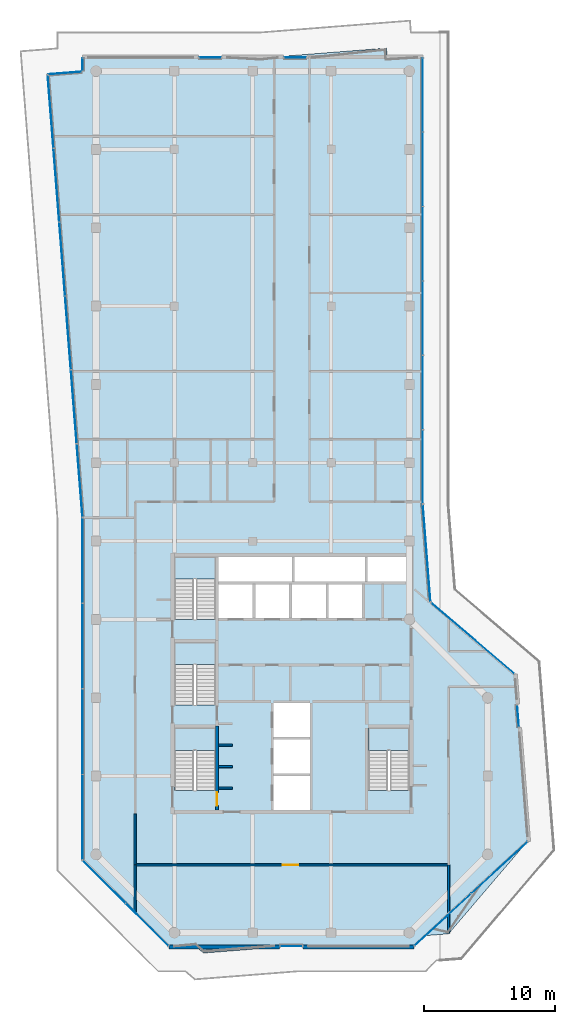
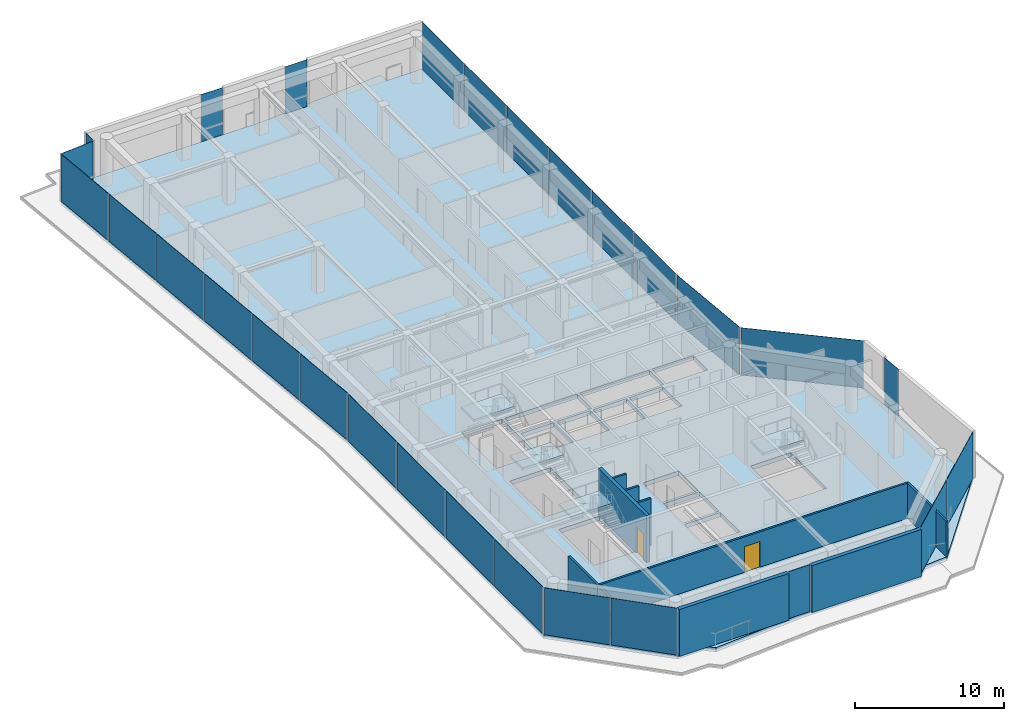
# One storey, part 18 of 23: 28 plates, 10 walls, 5 slabs, 2 doors, 2 openings, 17 elements without a shape of their own.
"""IFC4 building model written with IfcOpenShell, lengths in metres."""

from ifc_helpers import new_model, si_unit, direction, frame, frame_2d, origin, origin_2d, place, context, subcontext, project, spatial, polyline, rectangle, outline, extrude, material, layer, layer_set, type_object, element, fill, aggregate, save


model = new_model("IFC4")

# Units and contexts
model_context = context("Model", 3, precision=1e-05, world=origin(), true_north=direction((0.0, 1.0)))
body_context = subcontext(model_context, "Body", "Model", "MODEL_VIEW")
ifc_project = project(units=[si_unit("LENGTHUNIT", "METRE"), si_unit("AREAUNIT", "SQUARE_METRE"), si_unit("VOLUMEUNIT", "CUBIC_METRE"), si_unit("PLANEANGLEUNIT", "RADIAN"), si_unit("MASSUNIT", "GRAM", prefix="KILO")], contexts=[model_context])

# Site, building, storey
site_placement = place(None, origin())
site = spatial("IfcSite", under=ifc_project, at=site_placement, CompositionType="ELEMENT")
building_placement = place(site_placement, origin())
building = spatial("IfcBuilding", under=site, at=building_placement, Name="Welwitschia Terrace Campus", CompositionType="ELEMENT")
storey_placement = place(building_placement, frame((0.0, 0.0, 306.199951171875)))
storey = spatial("IfcBuildingStorey", under=building, at=storey_placement, Name="L68", CompositionType="ELEMENT", Elevation=306.199951171875)

# Curtain wall, plates
ifc_material_1 = material(Name="Bronze anodised aluminium", Category="aluminium")
ifc_layer_1 = layer(ifc_material_1, 0.1201171875)
ifc_layer_set_1 = layer_set([ifc_layer_1], Name="Bronze anodised aluminium")
curtain_wall_type = type_object("IfcCurtainWallType", Name="Curtain wall CW2 tower 6000", PredefinedType="NOTDEFINED", material=ifc_layer_set_1)
curtain_wall_1_placement = place(storey_placement, origin())
curtain_wall_1 = element("IfcCurtainWall", 1, at=curtain_wall_1_placement, inside=storey, type_object=curtain_wall_type, Name="CW L68.0.0", PredefinedType="NOTDEFINED")
ifc_material_2 = material(Name="Tinted bronze-grey glass", Category="glass")
ifc_layer_2 = layer(ifc_material_2, 0.028076171875)
ifc_layer_set_2 = layer_set([ifc_layer_2], Name="Tinted bronze-grey glass")
plate_type = type_object("IfcPlateType", Name="Glass panel 28 tinted", PredefinedType="CURTAIN_PANEL", material=ifc_layer_set_2)
plate_1_placement = place(storey_placement, frame((-1.030029296875, 24.50537109375, 0.0), z_axis=(0.0, 0.0, 1.0), x_axis=(0.0, -1.0, 0.0)))
plate_1 = element("IfcPlate", 2, at=plate_1_placement, type_object=plate_type, Name="Panel L68.0.0.0", PredefinedType="CURTAIN_PANEL", context=body_context, shape_type="SweptSolid", body=[
    extrude(rectangle(XDim=6.46630859375, YDim=0.028076171875, at=origin_2d()), origin(), (0.0, 0.0, 1.0), 3.85009765625),
])
plate_2_placement = place(storey_placement, frame((-1.030029296875, 17.964111328125, 0.0), z_axis=(0.0, 0.0, 1.0), x_axis=(0.0, -1.0, 0.0)))
plate_2 = element("IfcPlate", 3, at=plate_2_placement, type_object=plate_type, Name="Panel L68.0.0.1", PredefinedType="CURTAIN_PANEL", context=body_context, shape_type="SweptSolid", body=[
    extrude(rectangle(XDim=6.496337890625, YDim=0.028076171875, at=origin_2d()), origin(), (0.0, 0.0, 1.0), 3.85009765625),
])
plate_3_placement = place(storey_placement, frame((-1.030029296875, 11.40771484375, 0.0), z_axis=(0.0, 0.0, 1.0), x_axis=(0.0, -1.0, 0.0)))
plate_3 = element("IfcPlate", 4, at=plate_3_placement, type_object=plate_type, Name="Panel L68.0.0.2", PredefinedType="CURTAIN_PANEL", context=body_context, shape_type="SweptSolid", body=[
    extrude(rectangle(XDim=6.496337890625, YDim=0.028076171875, at=origin_2d()), origin(), (0.0, 0.0, 1.0), 3.85009765625),
])
plate_4_placement = place(storey_placement, frame((-1.030029296875, 4.866455078125, 0.0), z_axis=(0.0, 0.0, 1.0), x_axis=(0.0, -1.0, 0.0)))
plate_4 = element("IfcPlate", 5, at=plate_4_placement, type_object=plate_type, Name="Panel L68.0.0.3", PredefinedType="CURTAIN_PANEL", context=body_context, shape_type="SweptSolid", body=[
    extrude(rectangle(XDim=6.46630859375, YDim=0.028076171875, at=origin_2d()), origin(), (0.0, 0.0, 1.0), 3.85009765625),
])
aggregate(curtain_wall_1, [plate_1, plate_2, plate_3, plate_4])

curtain_wall_2_placement = place(storey_placement, origin())
curtain_wall_2 = element("IfcCurtainWall", 6, at=curtain_wall_2_placement, inside=storey, type_object=curtain_wall_type, Name="CW L68.1.0", PredefinedType="NOTDEFINED")
plate_5_placement = place(storey_placement, frame((0.63134765625, -0.088134765625, 0.0), z_axis=(0.0, 0.0, 1.0), x_axis=(0.707106781187, -0.707106781187, 0.0)))
plate_5 = element("IfcPlate", 7, at=plate_5_placement, type_object=plate_type, Name="Panel L68.1.0.0", PredefinedType="CURTAIN_PANEL", context=body_context, shape_type="SweptSolid", body=[
    extrude(rectangle(XDim=4.579345703125, YDim=0.028076171875, at=origin_2d()), origin(), (0.0, 0.0, 1.0), 3.85009765625),
])
plate_6_placement = place(storey_placement, frame((3.911865234375, -3.36865234375, 0.0), z_axis=(0.0, 0.0, 1.0), x_axis=(0.707106781187, -0.707106781187, 0.0)))
plate_6 = element("IfcPlate", 8, at=plate_6_placement, type_object=plate_type, Name="Panel L68.1.0.1", PredefinedType="CURTAIN_PANEL", context=body_context, shape_type="SweptSolid", body=[
    extrude(rectangle(XDim=4.579345703125, YDim=0.028076171875, at=origin_2d()), origin(), (0.0, 0.0, 1.0), 3.85009765625),
])
aggregate(curtain_wall_2, [plate_5, plate_6])

# Curtain wall, plate
curtain_wall_3_placement = place(storey_placement, origin())
curtain_wall_3 = element("IfcCurtainWall", 9, at=curtain_wall_3_placement, inside=storey, type_object=curtain_wall_type, Name="CW L68.2.S0", PredefinedType="NOTDEFINED")
plate_7_placement = place(storey_placement, frame((14.966064453125, -5.030029296875, 0.0), z_axis=(0.0, 0.0, 1.0), x_axis=(1.0, 0.0, 0.0)))
plate_7 = element("IfcPlate", 10, at=plate_7_placement, type_object=plate_type, Name="Panel L68.2.S0.0", PredefinedType="CURTAIN_PANEL", context=body_context, shape_type="SweptSolid", body=[
    extrude(rectangle(XDim=1.679931640625, YDim=0.028076171875, at=origin_2d()), origin(), (0.0, 0.0, 1.0), 3.85009765625),
])
aggregate(curtain_wall_3, [plate_7])

# Curtain wall, plates
curtain_wall_4_placement = place(storey_placement, origin())
curtain_wall_4 = element("IfcCurtainWall", 11, at=curtain_wall_4_placement, inside=storey, type_object=curtain_wall_type, Name="CW L68.3.0", PredefinedType="NOTDEFINED")
plate_8_placement = place(storey_placement, frame((26.55029296875, -3.013671875, 0.0), z_axis=(0.0, 0.0, 1.0), x_axis=(0.735951379872, 0.677034390902, 0.0)))
plate_8 = element("IfcPlate", 12, at=plate_8_placement, type_object=plate_type, Name="Panel L68.3.0.0", PredefinedType="CURTAIN_PANEL", context=body_context, shape_type="SweptSolid", body=[
    extrude(rectangle(XDim=5.836181640625, YDim=0.028076171875, at=origin_2d()), origin(), (0.0, 0.0, 1.0), 3.85009765625),
])
plate_9_placement = place(storey_placement, frame((30.8896484375, 0.97802734375, 0.0), z_axis=(0.0, 0.0, 1.0), x_axis=(0.735951379872, 0.677034390902, 0.0)))
plate_9 = element("IfcPlate", 13, at=plate_9_placement, type_object=plate_type, Name="Panel L68.3.0.1", PredefinedType="CURTAIN_PANEL", context=body_context, shape_type="SweptSolid", body=[
    extrude(rectangle(XDim=5.836181640625, YDim=0.028076171875, at=origin_2d()), origin(), (0.0, 0.0, 1.0), 3.85009765625),
])
aggregate(curtain_wall_4, [plate_8, plate_9])

# Curtain wall, plate
curtain_wall_5_placement = place(storey_placement, origin())
curtain_wall_5 = element("IfcCurtainWall", 14, at=curtain_wall_5_placement, inside=storey, type_object=curtain_wall_type, Name="CW L68.4.S0", PredefinedType="NOTDEFINED")
plate_10_placement = place(storey_placement, frame((32.324951171875, 12.6044921875, 0.0), z_axis=(0.0, 0.0, 1.0), x_axis=(-0.078459095728, 0.996917333733, 0.0)))
plate_10 = element("IfcPlate", 15, at=plate_10_placement, type_object=plate_type, Name="Panel L68.4.S0.0", PredefinedType="CURTAIN_PANEL", context=body_context, shape_type="SweptSolid", body=[
    extrude(rectangle(XDim=1.679931640625, YDim=0.028076171875, at=origin_2d()), origin(), (0.0, 0.0, 1.0), 3.85009765625),
])
aggregate(curtain_wall_5, [plate_10])

curtain_wall_6_placement = place(storey_placement, origin())
curtain_wall_6 = element("IfcCurtainWall", 16, at=curtain_wall_6_placement, inside=storey, type_object=curtain_wall_type, Name="CW L68.5.0", PredefinedType="NOTDEFINED")
plate_11_placement = place(storey_placement, frame((28.8466796875, 18.563232421875, 0.0), z_axis=(0.0, 0.0, 1.0), x_axis=(-0.7604059656, 0.64944804833, 0.0)))
plate_11 = element("IfcPlate", 17, at=plate_11_placement, type_object=plate_type, Name="Panel L68.5.0.0", PredefinedType="CURTAIN_PANEL", context=body_context, shape_type="SweptSolid", body=[
    extrude(rectangle(XDim=8.365234375, YDim=0.028076171875, at=origin_2d()), origin(), (0.0, 0.0, 1.0), 3.85009765625),
])
aggregate(curtain_wall_6, [plate_11])

curtain_wall_7_placement = place(storey_placement, origin())
curtain_wall_7 = element("IfcCurtainWall", 18, at=curtain_wall_7_placement, inside=storey, type_object=curtain_wall_type, Name="CW L68.6.0", PredefinedType="NOTDEFINED")
plate_12_placement = place(storey_placement, frame((25.3251953125, 25.070556640625, 0.0), z_axis=(0.0, 0.0, 1.0), x_axis=(-0.078459095728, 0.996917333733, 0.0)))
plate_12 = element("IfcPlate", 19, at=plate_12_placement, type_object=plate_type, Name="Panel L68.6.0.0", PredefinedType="CURTAIN_PANEL", context=body_context, shape_type="SweptSolid", body=[
    extrude(rectangle(XDim=7.406982421875, YDim=0.028076171875, at=origin_2d()), origin(), (0.0, 0.0, 1.0), 3.85009765625),
])
aggregate(curtain_wall_7, [plate_12])

# Curtain wall, plates
curtain_wall_8_placement = place(storey_placement, origin())
curtain_wall_8 = element("IfcCurtainWall", 20, at=curtain_wall_8_placement, inside=storey, type_object=curtain_wall_type, Name="CW L68.7.0", PredefinedType="NOTDEFINED")
plate_13_placement = place(storey_placement, frame((25.030029296875, 31.688232421875, 0.0), z_axis=(0.0, 0.0, 1.0), x_axis=(0.0, 1.0, 0.0)))
plate_13 = element("IfcPlate", 21, at=plate_13_placement, type_object=plate_type, Name="Panel L68.7.0.0", PredefinedType="CURTAIN_PANEL", context=body_context, shape_type="SweptSolid", body=[
    extrude(rectangle(XDim=5.611328125, YDim=0.028076171875, at=origin_2d()), origin(), (0.0, 0.0, 1.0), 3.85009765625),
])
plate_14_placement = place(storey_placement, frame((25.030029296875, 37.37451171875, 0.0), z_axis=(0.0, 0.0, 1.0), x_axis=(0.0, 1.0, 0.0)))
plate_14 = element("IfcPlate", 22, at=plate_14_placement, type_object=plate_type, Name="Panel L68.7.0.1", PredefinedType="CURTAIN_PANEL", context=body_context, shape_type="SweptSolid", body=[
    extrude(rectangle(XDim=5.641357421875, YDim=0.028076171875, at=origin_2d()), origin(), (0.0, 0.0, 1.0), 3.85009765625),
])
plate_15_placement = place(storey_placement, frame((25.030029296875, 43.07568359375, 0.0), z_axis=(0.0, 0.0, 1.0), x_axis=(0.0, 1.0, 0.0)))
plate_15 = element("IfcPlate", 23, at=plate_15_placement, type_object=plate_type, Name="Panel L68.7.0.2", PredefinedType="CURTAIN_PANEL", context=body_context, shape_type="SweptSolid", body=[
    extrude(rectangle(XDim=5.641357421875, YDim=0.028076171875, at=origin_2d()), origin(), (0.0, 0.0, 1.0), 3.85009765625),
])
plate_16_placement = place(storey_placement, frame((25.030029296875, 48.77685546875, 0.0), z_axis=(0.0, 0.0, 1.0), x_axis=(0.0, 1.0, 0.0)))
plate_16 = element("IfcPlate", 24, at=plate_16_placement, type_object=plate_type, Name="Panel L68.7.0.3", PredefinedType="CURTAIN_PANEL", context=body_context, shape_type="SweptSolid", body=[
    extrude(rectangle(XDim=5.641357421875, YDim=0.028076171875, at=origin_2d()), origin(), (0.0, 0.0, 1.0), 3.85009765625),
])
plate_17_placement = place(storey_placement, frame((25.030029296875, 54.47802734375, 0.0), z_axis=(0.0, 0.0, 1.0), x_axis=(0.0, 1.0, 0.0)))
plate_17 = element("IfcPlate", 25, at=plate_17_placement, type_object=plate_type, Name="Panel L68.7.0.4", PredefinedType="CURTAIN_PANEL", context=body_context, shape_type="SweptSolid", body=[
    extrude(rectangle(XDim=5.641357421875, YDim=0.028076171875, at=origin_2d()), origin(), (0.0, 0.0, 1.0), 3.85009765625),
])
plate_18_placement = place(storey_placement, frame((25.030029296875, 60.164306640625, 0.0), z_axis=(0.0, 0.0, 1.0), x_axis=(0.0, 1.0, 0.0)))
plate_18 = element("IfcPlate", 26, at=plate_18_placement, type_object=plate_type, Name="Panel L68.7.0.5", PredefinedType="CURTAIN_PANEL", context=body_context, shape_type="SweptSolid", body=[
    extrude(rectangle(XDim=5.611328125, YDim=0.028076171875, at=origin_2d()), origin(), (0.0, 0.0, 1.0), 3.85009765625),
])
aggregate(curtain_wall_8, [plate_13, plate_14, plate_15, plate_16, plate_17, plate_18])

# Curtain wall, plate
curtain_wall_9_placement = place(storey_placement, origin())
curtain_wall_9 = element("IfcCurtainWall", 27, at=curtain_wall_9_placement, inside=storey, type_object=curtain_wall_type, Name="CW L68.8.S0", PredefinedType="NOTDEFINED")
plate_19_placement = place(storey_placement, frame((15.257568359375, 63.030029296875, 0.0), z_axis=(0.0, 0.0, 1.0), x_axis=(-1.0, 0.0, 0.0)))
plate_19 = element("IfcPlate", 28, at=plate_19_placement, type_object=plate_type, Name="Panel L68.8.S0.0", PredefinedType="CURTAIN_PANEL", context=body_context, shape_type="SweptSolid", body=[
    extrude(rectangle(XDim=1.679931640625, YDim=0.028076171875, at=origin_2d()), origin(), (0.0, 0.0, 1.0), 3.85009765625),
])
aggregate(curtain_wall_9, [plate_19])

curtain_wall_10_placement = place(storey_placement, origin())
curtain_wall_10 = element("IfcCurtainWall", 29, at=curtain_wall_10_placement, inside=storey, type_object=curtain_wall_type, Name="CW L68.8.S1", PredefinedType="NOTDEFINED")
plate_20_placement = place(storey_placement, frame((8.742431640625, 63.030029296875, 0.0), z_axis=(0.0, 0.0, 1.0), x_axis=(-1.0, 0.0, 0.0)))
plate_20 = element("IfcPlate", 30, at=plate_20_placement, type_object=plate_type, Name="Panel L68.8.S1.0", PredefinedType="CURTAIN_PANEL", context=body_context, shape_type="SweptSolid", body=[
    extrude(rectangle(XDim=1.679931640625, YDim=0.028076171875, at=origin_2d()), origin(), (0.0, 0.0, 1.0), 3.85009765625),
])
aggregate(curtain_wall_10, [plate_20])

curtain_wall_11_placement = place(storey_placement, origin())
curtain_wall_11 = element("IfcCurtainWall", 31, at=curtain_wall_11_placement, inside=storey, type_object=curtain_wall_type, Name="CW L68.9.0", PredefinedType="NOTDEFINED")
plate_21_placement = place(storey_placement, frame((-1.030029296875, 62.4931640625, 0.0), z_axis=(0.0, 0.0, 1.0), x_axis=(0.0, -1.0, 0.0)))
plate_21 = element("IfcPlate", 32, at=plate_21_placement, type_object=plate_type, Name="Panel L68.9.0.0", PredefinedType="CURTAIN_PANEL", context=body_context, shape_type="SweptSolid", body=[
    extrude(rectangle(XDim=0.95361328125, YDim=0.028076171875, at=origin_2d()), origin(), (0.0, 0.0, 1.0), 3.85009765625),
])
aggregate(curtain_wall_11, [plate_21])

curtain_wall_12_placement = place(storey_placement, origin())
curtain_wall_12 = element("IfcCurtainWall", 33, at=curtain_wall_12_placement, inside=storey, type_object=curtain_wall_type, Name="CW L68.10.0", PredefinedType="NOTDEFINED")
plate_22_placement = place(storey_placement, frame((-2.365966796875, 61.851318359375, 0.0), z_axis=(0.0, 0.0, 1.0), x_axis=(-0.996917333733, -0.078459095728, 0.0)))
plate_22 = element("IfcPlate", 34, at=plate_22_placement, type_object=plate_type, Name="Panel L68.10.0.0", PredefinedType="CURTAIN_PANEL", context=body_context, shape_type="SweptSolid", body=[
    extrude(rectangle(XDim=2.56005859375, YDim=0.028076171875, at=origin_2d()), origin(), (0.0, 0.0, 1.0), 3.85009765625),
])
aggregate(curtain_wall_12, [plate_22])

# Curtain wall, plates
curtain_wall_13_placement = place(storey_placement, origin())
curtain_wall_13 = element("IfcCurtainWall", 35, at=curtain_wall_13_placement, inside=storey, type_object=curtain_wall_type, Name="CW L68.11.0", PredefinedType="NOTDEFINED")
plate_23_placement = place(storey_placement, frame((-3.477783203125, 58.902099609375, 0.0), z_axis=(0.0, 0.0, 1.0), x_axis=(0.078459095728, -0.996917333733, 0.0)))
plate_23 = element("IfcPlate", 36, at=plate_23_placement, type_object=plate_type, Name="Panel L68.11.0.0", PredefinedType="CURTAIN_PANEL", context=body_context, shape_type="SweptSolid", body=[
    extrude(rectangle(XDim=5.58544921875, YDim=0.028076171875, at=origin_2d()), origin(), (0.0, 0.0, 1.0), 3.85009765625),
])
plate_24_placement = place(storey_placement, frame((-3.03369140625, 53.25927734375, 0.0), z_axis=(0.0, 0.0, 1.0), x_axis=(0.078459095728, -0.996917333733, 0.0)))
plate_24 = element("IfcPlate", 37, at=plate_24_placement, type_object=plate_type, Name="Panel L68.11.0.1", PredefinedType="CURTAIN_PANEL", context=body_context, shape_type="SweptSolid", body=[
    extrude(rectangle(XDim=5.615478515625, YDim=0.028076171875, at=origin_2d()), origin(), (0.0, 0.0, 1.0), 3.85009765625),
])
plate_25_placement = place(storey_placement, frame((-2.588623046875, 47.601318359375, 0.0), z_axis=(0.0, 0.0, 1.0), x_axis=(0.078459095728, -0.996917333733, 0.0)))
plate_25 = element("IfcPlate", 38, at=plate_25_placement, type_object=plate_type, Name="Panel L68.11.0.2", PredefinedType="CURTAIN_PANEL", context=body_context, shape_type="SweptSolid", body=[
    extrude(rectangle(XDim=5.615478515625, YDim=0.028076171875, at=origin_2d()), origin(), (0.0, 0.0, 1.0), 3.85009765625),
])
plate_26_placement = place(storey_placement, frame((-2.143310546875, 41.943359375, 0.0), z_axis=(0.0, 0.0, 1.0), x_axis=(0.078459095728, -0.996917333733, 0.0)))
plate_26 = element("IfcPlate", 39, at=plate_26_placement, type_object=plate_type, Name="Panel L68.11.0.3", PredefinedType="CURTAIN_PANEL", context=body_context, shape_type="SweptSolid", body=[
    extrude(rectangle(XDim=5.615478515625, YDim=0.028076171875, at=origin_2d()), origin(), (0.0, 0.0, 1.0), 3.85009765625),
])
plate_27_placement = place(storey_placement, frame((-1.697998046875, 36.285400390625, 0.0), z_axis=(0.0, 0.0, 1.0), x_axis=(0.078459095728, -0.996917333733, 0.0)))
plate_27 = element("IfcPlate", 40, at=plate_27_placement, type_object=plate_type, Name="Panel L68.11.0.4", PredefinedType="CURTAIN_PANEL", context=body_context, shape_type="SweptSolid", body=[
    extrude(rectangle(XDim=5.615478515625, YDim=0.028076171875, at=origin_2d()), origin(), (0.0, 0.0, 1.0), 3.85009765625),
])
plate_28_placement = place(storey_placement, frame((-1.25390625, 30.642578125, 0.0), z_axis=(0.0, 0.0, 1.0), x_axis=(0.078459095728, -0.996917333733, 0.0)))
plate_28 = element("IfcPlate", 41, at=plate_28_placement, type_object=plate_type, Name="Panel L68.11.0.5", PredefinedType="CURTAIN_PANEL", context=body_context, shape_type="SweptSolid", body=[
    extrude(rectangle(XDim=5.58544921875, YDim=0.028076171875, at=origin_2d()), origin(), (0.0, 0.0, 1.0), 3.85009765625),
])
aggregate(curtain_wall_13, [plate_23, plate_24, plate_25, plate_26, plate_27, plate_28])

# Stair, slab
ifc_material_3 = material(Name="Concrete C40/50", Category="concrete")
stair_type = type_object("IfcStairType", Name="Stair 24R 175 W1500", PredefinedType="HALF_TURN_STAIR", material=ifc_material_3)
stair_1_placement = place(storey_placement, origin())
stair_1 = element("IfcStair", 42, at=stair_1_placement, inside=storey, type_object=stair_type, Name="L68 Exit stair S1", PredefinedType="HALF_TURN_STAIR")
ifc_material_4 = material(Name="Concrete C40/50", Category="concrete")
ifc_layer_3 = layer(ifc_material_4, 0.199951171875)
ifc_layer_set_3 = layer_set([ifc_layer_3], Name="Concrete C40/50")
slab_type_1 = type_object("IfcSlabType", Name="Stair landing RC", PredefinedType="LANDING", material=ifc_layer_set_3)
slab_1_placement = place(storey_placement, frame((0.0, 0.0, 1.900146484375)))
slab_1 = element("IfcSlab", 43, at=slab_1_placement, type_object=slab_type_1, Name="S1 landing 1", PredefinedType="LANDING", context=body_context, shape_type="SweptSolid", body=[
    extrude(outline(polyline([(9.14990234375, 9.97998046875), (9.14990234375, 11.699951171875), (6.0, 11.699951171875), (6.0, 9.97998046875), (9.14990234375, 9.97998046875)])), origin(), (0.0, 0.0, 1.0), 0.199951171875),
])
aggregate(stair_1, [slab_1])

stair_2_placement = place(storey_placement, origin())
stair_2 = element("IfcStair", 44, at=stair_2_placement, inside=storey, type_object=stair_type, Name="L68 Exit stair S3", PredefinedType="HALF_TURN_STAIR")
slab_2_placement = place(storey_placement, frame((0.0, 0.0, 1.900146484375)))
slab_2 = element("IfcSlab", 45, at=slab_2_placement, type_object=slab_type_1, Name="S3 landing 1", PredefinedType="LANDING", context=body_context, shape_type="SweptSolid", body=[
    extrude(outline(polyline([(9.14990234375, 16.530029296875), (9.14990234375, 18.25), (6.0, 18.25), (6.0, 16.530029296875), (9.14990234375, 16.530029296875)])), origin(), (0.0, 0.0, 1.0), 0.199951171875),
])
aggregate(stair_2, [slab_2])

stair_3_placement = place(storey_placement, origin())
stair_3 = element("IfcStair", 46, at=stair_3_placement, inside=storey, type_object=stair_type, Name="L68 Exit stair S4", PredefinedType="HALF_TURN_STAIR")
slab_3_placement = place(storey_placement, frame((0.0, 0.0, 1.900146484375)))
slab_3 = element("IfcSlab", 47, at=slab_3_placement, type_object=slab_type_1, Name="S4 landing 1", PredefinedType="LANDING", context=body_context, shape_type="SweptSolid", body=[
    extrude(outline(polyline([(9.14990234375, 23.080078125), (9.14990234375, 24.800048828125), (6.0, 24.800048828125), (6.0, 23.080078125), (9.14990234375, 23.080078125)])), origin(), (0.0, 0.0, 1.0), 0.199951171875),
])
aggregate(stair_3, [slab_3])

stair_4_placement = place(storey_placement, origin())
stair_4 = element("IfcStair", 48, at=stair_4_placement, inside=storey, type_object=stair_type, Name="L68 Exit stair S2", PredefinedType="HALF_TURN_STAIR")
slab_4_placement = place(storey_placement, frame((0.0, 0.0, 1.900146484375)))
slab_4 = element("IfcSlab", 49, at=slab_4_placement, type_object=slab_type_1, Name="S2 landing 1", PredefinedType="LANDING", context=body_context, shape_type="SweptSolid", body=[
    extrude(outline(polyline([(24.0, 9.97998046875), (24.0, 11.699951171875), (20.85009765625, 11.699951171875), (20.85009765625, 9.97998046875), (24.0, 9.97998046875)])), origin(), (0.0, 0.0, 1.0), 0.199951171875),
])
aggregate(stair_4, [slab_4])

# Slab
ifc_material_5 = material(Name="Concrete C40/50", Category="concrete")
ifc_layer_4 = layer(ifc_material_5, 0.35009765625)
ifc_layer_set_4 = layer_set([ifc_layer_4], Name="Concrete C40/50")
slab_type_2 = type_object("IfcSlabType", Name="Suspended floor slab 350", PredefinedType="FLOOR", material=ifc_layer_set_4)
slab_5_placement = place(storey_placement, frame((0.0, 0.0, -0.349853515625)))
element("IfcSlab", 50, at=slab_5_placement, inside=storey, type_object=slab_type_2, Name="Floor slab L68", PredefinedType="FLOOR", context=body_context, shape_type="SweptSolid", body=[
    extrude(outline(polyline([(-3.66943359375, 61.718505859375), (-1.0, 61.9287109375), (-1.0, 63.0), (12.613037109375, 63.0), (22.25048828125, 63.758544921875), (22.31005859375, 63.0), (25.0, 63.0), (25.0, 28.8212890625), (25.591552734375, 21.303955078125), (32.0439453125, 15.793212890625), (33.05029296875, 3.00439453125), (27.001708984375, -4.077880859375), (25.194091796875, -4.22021484375), (24.414306640625, -5.0), (15.284912109375, -5.0), (8.231201171875, -5.55517578125), (7.581298828125, -5.0), (5.585693359375, -5.0), (-1.0, 1.585693359375), (-1.0, 27.7998046875), (-3.66943359375, 61.718505859375)]), holes=[polyline([(13.60009765625, 8.0), (13.60009765625, 5.39990234375), (16.39990234375, 5.39990234375), (16.39990234375, 8.0), (13.60009765625, 8.0)]), polyline([(9.14990234375, 11.699951171875), (6.0, 11.699951171875), (6.0, 6.902099609375), (9.14990234375, 6.902099609375), (9.14990234375, 11.699951171875)]), polyline([(9.14990234375, 18.25), (6.0, 18.25), (6.0, 13.451904296875), (9.14990234375, 13.451904296875), (9.14990234375, 18.25)]), polyline([(12.0, 22.699951171875), (9.39990234375, 22.699951171875), (9.39990234375, 20.10009765625), (12.0, 20.10009765625), (12.0, 22.699951171875)]), polyline([(14.800048828125, 22.699951171875), (12.199951171875, 22.699951171875), (12.199951171875, 20.10009765625), (14.800048828125, 20.10009765625), (14.800048828125, 22.699951171875)]), polyline([(9.14990234375, 24.800048828125), (6.0, 24.800048828125), (6.0, 20.001953125), (9.14990234375, 20.001953125), (9.14990234375, 24.800048828125)]), polyline([(15.0, 24.800048828125), (9.39990234375, 24.800048828125), (9.39990234375, 22.89990234375), (15.0, 22.89990234375), (15.0, 24.800048828125)]), polyline([(20.85009765625, 11.699951171875), (20.85009765625, 6.902099609375), (24.0, 6.902099609375), (24.0, 11.699951171875), (20.85009765625, 11.699951171875)]), polyline([(16.39990234375, 10.800048828125), (13.60009765625, 10.800048828125), (13.60009765625, 8.199951171875), (16.39990234375, 8.199951171875), (16.39990234375, 10.800048828125)]), polyline([(16.39990234375, 13.60009765625), (13.60009765625, 13.60009765625), (13.60009765625, 11.0), (16.39990234375, 11.0), (16.39990234375, 13.60009765625)]), polyline([(17.60009765625, 22.699951171875), (15.0, 22.699951171875), (15.0, 20.10009765625), (17.60009765625, 20.10009765625), (17.60009765625, 22.699951171875)]), polyline([(20.39990234375, 22.699951171875), (17.800048828125, 22.699951171875), (17.800048828125, 20.10009765625), (20.39990234375, 20.10009765625), (20.39990234375, 22.699951171875)]), polyline([(20.60009765625, 24.800048828125), (15.199951171875, 24.800048828125), (15.199951171875, 22.89990234375), (20.60009765625, 22.89990234375), (20.60009765625, 24.800048828125)]), polyline([(24.0, 24.800048828125), (20.800048828125, 24.800048828125), (20.800048828125, 22.89990234375), (24.0, 22.89990234375), (24.0, 24.800048828125)])]), origin(), (0.0, 0.0, 1.0), 0.349853515625),
])

# Walls
ifc_material_6 = material(Name="Concrete C50/60", Category="concrete")
ifc_layer_5 = layer(ifc_material_6, 0.14990234375)
ifc_layer_set_5 = layer_set([ifc_layer_5], Name="Concrete C50/60")
wall_type_1 = type_object("IfcWallType", Name="Core wall 150 Concrete C50/60", PredefinedType="SHEAR", material=ifc_layer_set_5)
for number, where, z_axis, x_axis, name in (
    (51, (9.39990234375, 7.074951171875, 0.0), (0.0, 0.0, 1.0), (1.0, 0.0, 0.0), "Core wall"),
    (52, (9.39990234375, 8.72509765625, 0.0), (0.0, 0.0, 1.0), (1.0, 0.0, 0.0), "Core wall"),
    (53, (9.39990234375, 10.375, 0.0), (0.0, 0.0, 1.0), (1.0, 0.0, 0.0), "Core wall"),
):
    element("IfcWall", number, at=place(storey_placement, frame(where, z_axis=z_axis, x_axis=x_axis)), inside=storey, type_object=wall_type_1, Name=name, PredefinedType="SHEAR", context=body_context, shape_type="SweptSolid", body=[
        extrude(rectangle(XDim=1.050048828125, YDim=0.14990234375, at=frame_2d((0.52490234375, 0.0))), origin(), (0.0, 0.0, 1.0), 3.85009765625),
    ])

# Wall, opening, door
ifc_material_7 = material(Name="Concrete C50/60", Category="concrete")
ifc_layer_6 = layer(ifc_material_7, 0.25)
ifc_layer_set_6 = layer_set([ifc_layer_6], Name="Concrete C50/60")
wall_type_2 = type_object("IfcWallType", Name="Core wall 250 Concrete C50/60", PredefinedType="SHEAR", material=ifc_layer_set_6)
wall_1_placement = place(storey_placement, frame((9.27490234375, 11.824951171875, 0.0), z_axis=(0.0, 0.0, 1.0), x_axis=(0.0, -1.0, 0.0)))
wall_1 = element("IfcWall", 54, at=wall_1_placement, inside=storey, type_object=wall_type_2, Name="Core wall", PredefinedType="SHEAR", context=body_context, shape_type="SweptSolid", body=[
    extrude(rectangle(XDim=6.425048828125, YDim=0.25, at=frame_2d((3.21240234375, 0.0))), origin(), (0.0, 0.0, 1.0), 3.85009765625),
])
opening_1_placement = place(wall_1_placement, frame((5.074951171875, 0.0, 0.0)))
opening_1 = element("IfcOpeningElement", 55, at=opening_1_placement, cuts=wall_1, Name="Opening DS10", PredefinedType="OPENING", context=body_context, shape_type="SweptSolid", body=[
    extrude(rectangle(XDim=1.0, YDim=2.10009765625, at=frame_2d((0.5, 1.050048828125))), frame((0.0, 0.135009765625, 0.0), z_axis=(0.0, -1.0, 0.0), x_axis=(1.0, 0.0, 0.0)), (0.0, 0.0, 1.0), 0.27001953125),
])
ifc_material_8 = material(Name="Steel S275", Category="steel")
door_type_1 = type_object("IfcDoorType", Name="Core door DS10", OperationType="SINGLE_SWING_LEFT", PredefinedType="DOOR", material=ifc_material_8)
door_1_placement = place(opening_1_placement, origin())
door_1 = element("IfcDoor", 56, at=door_1_placement, inside=storey, type_object=door_type_1, Name="Door S1-FL", OperationType="SINGLE_SWING_RIGHT", OverallHeight=2.10009765625, OverallWidth=1.0, PredefinedType="DOOR", context=body_context, shape_type="SweptSolid", body=[
    extrude(rectangle(XDim=1.0, YDim=2.10009765625, at=frame_2d((0.5, 1.050048828125))), frame((0.0, 0.02490234375, 0.0), z_axis=(0.0, -1.0, 0.0), x_axis=(1.0, 0.0, 0.0)), (0.0, 0.0, 1.0), 0.050048828125),
])
fill(opening_1, door_1)

# Walls
ifc_material_9 = material(Name="Gypsum board on steel studs", Category="steel")
ifc_layer_7 = layer(ifc_material_9, 0.14990234375)
ifc_layer_set_7 = layer_set([ifc_layer_7], Name="Gypsum board on steel studs")
wall_type_3 = type_object("IfcWallType", Name="Corridor partition 150 EI 30", PredefinedType="PARTITIONING", material=ifc_layer_set_7)
wall_2_placement = place(storey_placement, frame((3.0, -2.389892578125, 0.0), z_axis=(0.0, 0.0, 1.0), x_axis=(0.0, 1.0, 0.0)))
element("IfcWall", 57, at=wall_2_placement, inside=storey, type_object=wall_type_3, Name="Partition", PredefinedType="PARTITIONING", context=body_context, shape_type="SweptSolid", body=[
    extrude(rectangle(XDim=3.58984375, YDim=0.14990234375, at=frame_2d((1.794921875, 0.0))), origin(), (0.0, 0.0, 1.0), 2.900146484375),
])
wall_3_placement = place(storey_placement, frame((3.0, 1.199951171875, 0.0), z_axis=(0.0, 0.0, 1.0), x_axis=(0.0, 1.0, 0.0)))
element("IfcWall", 58, at=wall_3_placement, inside=storey, type_object=wall_type_3, Name="Partition", PredefinedType="PARTITIONING", context=body_context, shape_type="SweptSolid", body=[
    extrude(rectangle(XDim=3.900146484375, YDim=0.14990234375, at=frame_2d((1.9501953125, 0.0))), origin(), (0.0, 0.0, 1.0), 2.900146484375),
])
wall_4_placement = place(storey_placement, frame((27.0, -4.050048828125, 0.0), z_axis=(0.0, 0.0, 1.0), x_axis=(0.0, 1.0, 0.0)))
element("IfcWall", 59, at=wall_4_placement, inside=storey, type_object=wall_type_3, Name="Partition", PredefinedType="PARTITIONING", context=body_context, shape_type="SweptSolid", body=[
    extrude(rectangle(XDim=5.25, YDim=0.14990234375, at=frame_2d((2.625, 0.0))), origin(), (0.0, 0.0, 1.0), 2.900146484375),
])

# Wall, opening, door
wall_5_placement = place(storey_placement, frame((27.0, 1.199951171875, 0.0), z_axis=(0.0, 0.0, 1.0), x_axis=(-1.0, 0.0, 0.0)))
wall_5 = element("IfcWall", 60, at=wall_5_placement, inside=storey, type_object=wall_type_3, Name="Partition", PredefinedType="PARTITIONING", context=body_context, shape_type="SweptSolid", body=[
    extrude(rectangle(XDim=24.0, YDim=0.14990234375, at=frame_2d((12.0, 0.0))), origin(), (0.0, 0.0, 1.0), 2.900146484375),
])
opening_2_placement = place(wall_5_placement, frame((11.5, 0.0, 0.0)))
opening_2 = element("IfcOpeningElement", 61, at=opening_2_placement, cuts=wall_5, Name="Opening DI12", PredefinedType="OPENING", context=body_context, shape_type="SweptSolid", body=[
    extrude(rectangle(XDim=1.199951171875, YDim=2.10009765625, at=frame_2d((0.60009765625, 1.050048828125))), frame((0.0, 0.0849609375, 0.0), z_axis=(0.0, -1.0, 0.0), x_axis=(1.0, 0.0, 0.0)), (0.0, 0.0, 1.0), 0.169921875),
])
ifc_material_10 = material(Name="Timber veneered door", Category="wood")
door_type_2 = type_object("IfcDoorType", Name="Interior door DI12", OperationType="NOTDEFINED", PredefinedType="DOOR", material=ifc_material_10)
door_2_placement = place(opening_2_placement, origin())
door_2 = element("IfcDoor", 62, at=door_2_placement, inside=storey, type_object=door_type_2, Name="Door L68 1212", OperationType="SINGLE_SWING_LEFT", OverallHeight=2.10009765625, OverallWidth=1.199951171875, PredefinedType="DOOR", context=body_context, shape_type="SweptSolid", body=[
    extrude(rectangle(XDim=1.199951171875, YDim=2.10009765625, at=frame_2d((0.60009765625, 1.050048828125))), frame((0.0, 0.02490234375, 0.0), z_axis=(0.0, -1.0, 0.0), x_axis=(1.0, 0.0, 0.0)), (0.0, 0.0, 1.0), 0.050048828125),
])
fill(opening_2, door_2)

# Walls
ifc_material_11 = material(Name="Concrete C40/50", Category="concrete")
ifc_layer_8 = layer(ifc_material_11, 0.300048828125)
ifc_layer_set_8 = layer_set([ifc_layer_8], Name="Concrete C40/50")
wall_type_4 = type_object("IfcWallType", Name="Mass wall 300", PredefinedType="SOLIDWALL", material=ifc_layer_set_8)
wall_6_placement = place(storey_placement, frame((5.573486328125, -5.07958984375, 0.0), z_axis=(0.0, 0.0, 1.0), x_axis=(1.0, 0.0, 0.0)))
element("IfcWall", 63, at=wall_6_placement, inside=storey, type_object=wall_type_4, Name="Mass wall L68.2.0", PredefinedType="SOLIDWALL", context=body_context, shape_type="SweptSolid", body=[
    extrude(rectangle(XDim=8.492431640625, YDim=0.300048828125, at=frame_2d((4.24609375, 0.0))), origin(), (0.0, 0.0, 1.0), 3.85009765625),
])
wall_7_placement = place(storey_placement, frame((15.865966796875, -5.080078125, 0.0), z_axis=(0.0, 0.0, 1.0), x_axis=(1.0, 0.0, 0.0)))
element("IfcWall", 64, at=wall_7_placement, inside=storey, type_object=wall_type_4, Name="Mass wall L68.2.1", PredefinedType="SOLIDWALL", context=body_context, shape_type="SweptSolid", body=[
    extrude(rectangle(XDim=8.49267578125, YDim=0.300048828125, at=frame_2d((4.246337890625, 0.0))), origin(), (0.0, 0.0, 1.0), 3.85009765625),
])

save(model, "model.ifc")
